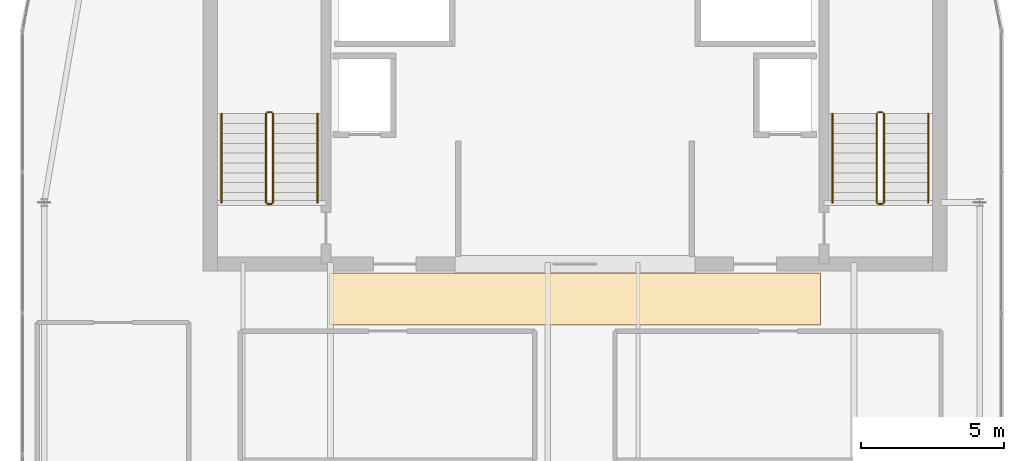
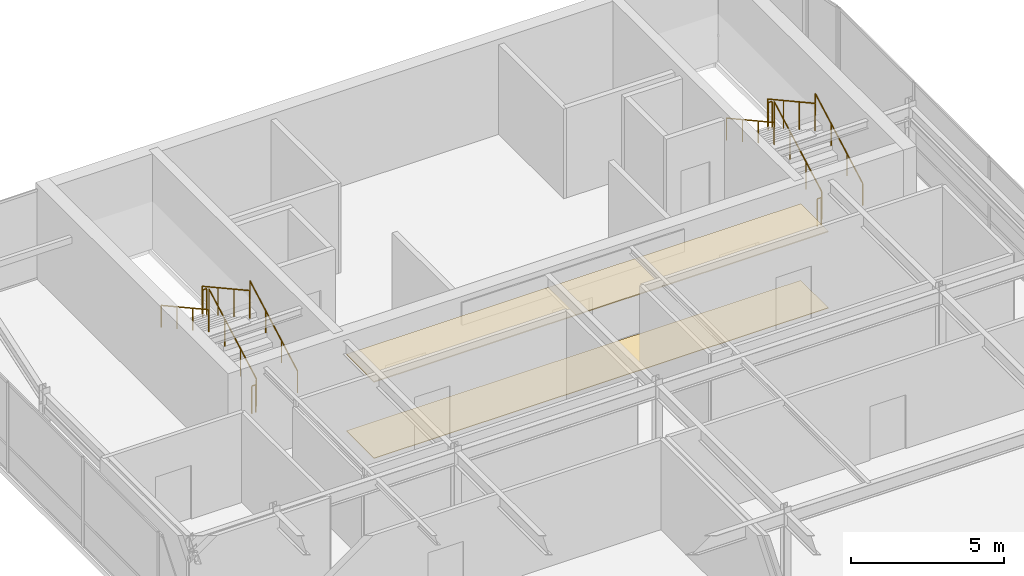
# One storey, part 36 of 36: 12 railings, 2 coverings.
"""IFC4 building model written with IfcOpenShell, lengths in metres."""

import ifcopenshell
import ifcopenshell.guid

model = None  # the IFC model being written
_history = None  # IfcOwnerHistory: only IFC2X3 demands one
_inside = {}  # id of a spatial element -> (the spatial element, [elements in it])
_under = {}  # id of a project, library or spatial element -> (it, [spatial elements below it])
_declared = {}  # id of a project -> (the project, [libraries it declares])
_typed = {}  # id of a type object -> (the type object, [elements of that type])
_made_of = {}  # id of a material, layer set ... -> (it, [elements and type objects made of it])


def new_model(schema):
    """Start an empty IFC model of exactly this schema.

    Asked for "IFC4X3", IfcOpenShell would pick the latest addendum, in which some entities
    have other attributes; the version numbers below select the first issue.
    IFC2X3 requires an IfcOwnerHistory on every rooted entity: one is made here for all.
    """
    global model, _history
    if schema == "IFC4X3":
        model = ifcopenshell.file(schema_version=(4, 3, 0, 0))
    else:
        model = ifcopenshell.file(schema=schema)
    _inside.clear()
    _under.clear()
    _declared.clear()
    _typed.clear()
    _made_of.clear()
    _history = None
    if model.schema == "IFC2X3":
        org = make("IfcOrganization", Name="unknown")
        user = make(
            "IfcPersonAndOrganization",
            ThePerson=make("IfcPerson", FamilyName="unknown"),
            TheOrganization=org,
        )
        app = make(
            "IfcApplication",
            ApplicationDeveloper=org,
            Version="unknown",
            ApplicationFullName="unknown",
            ApplicationIdentifier="unknown",
        )
        _history = make(
            "IfcOwnerHistory",
            OwningUser=user,
            OwningApplication=app,
            ChangeAction="ADDED",
            CreationDate=0,
        )
    return model


def make(cls, **values):
    """One entity of the class cls with the attributes given. An attribute that is None is left unset."""
    return model.create_entity(
        cls, **{name: value for name, value in values.items() if value is not None}
    )


def rooted(cls, **values):
    """An entity with a GlobalId (a new one), such as an element, a storey or a relation."""
    return make(cls, GlobalId=ifcopenshell.guid.new(), OwnerHistory=_history, **values)


def si_unit(unit_type, name, prefix=None):
    """IfcSIUnit, for example si_unit("LENGTHUNIT", "METRE", prefix="MILLI")."""
    return make("IfcSIUnit", UnitType=unit_type, Prefix=prefix, Name=name)


def assignment(units):
    """IfcUnitAssignment: the units of a project."""
    return None if units is None else make("IfcUnitAssignment", Units=units)


def point(xyz):
    """IfcCartesianPoint."""
    return None if xyz is None else make("IfcCartesianPoint", Coordinates=xyz)


def direction(xyz):
    """IfcDirection."""
    return None if xyz is None else make("IfcDirection", DirectionRatios=xyz)


def frame(location, z_axis=None, x_axis=None):
    """IfcAxis2Placement3D, a coordinate frame: its origin and axes. An axis left out is left unset."""
    return make(
        "IfcAxis2Placement3D",
        Location=point(location),
        Axis=direction(z_axis),
        RefDirection=direction(x_axis),
    )


def frame_2d(location, x_axis=None):
    """IfcAxis2Placement2D, a coordinate frame in the plane: its origin and x axis."""
    return make(
        "IfcAxis2Placement2D", Location=point(location), RefDirection=direction(x_axis)
    )


def origin():
    """The frame at (0, 0, 0) with its axes left unset."""
    return frame((0.0, 0.0, 0.0))


def origin_2d():
    """The frame at (0, 0) in the plane with its x axis left unset."""
    return frame_2d((0.0, 0.0))


def place(relative_to, where):
    """IfcLocalPlacement: puts the frame where relative to a parent placement (None: the world)."""
    return make(
        "IfcLocalPlacement", PlacementRelTo=relative_to, RelativePlacement=where
    )


def context(
    kind, dimensions, precision=None, world=None, true_north=None, identifier=None
):
    """IfcGeometricRepresentationContext, for example the 3D "Model" context."""
    return make(
        "IfcGeometricRepresentationContext",
        ContextIdentifier=identifier,
        ContextType=kind,
        CoordinateSpaceDimension=dimensions,
        Precision=precision,
        WorldCoordinateSystem=world,
        TrueNorth=true_north,
    )


def subcontext(parent, identifier, kind, view, scale=None):
    """IfcGeometricRepresentationSubContext, for example "Body" below "Model"."""
    return make(
        "IfcGeometricRepresentationSubContext",
        ContextIdentifier=identifier,
        ContextType=kind,
        ParentContext=parent,
        TargetScale=scale,
        TargetView=view,
    )


def project(units=None, contexts=None):
    """IfcProject with its units and contexts."""
    return rooted(
        "IfcProject",
        Name="project",
        RepresentationContexts=contexts,
        UnitsInContext=assignment(units),
    )


def spatial(cls, under=None, at=None, **own):
    """A site, building, storey or space (cls), placed at a placement, below another one or the project."""
    s = rooted(cls, ObjectPlacement=at, **own)
    if under is not None:
        _under.setdefault(under.id(), (under, []))[1].append(s)
    return s


def polyline(points):
    """IfcPolyline through the points."""
    return make("IfcPolyline", Points=[point(p) for p in points])


def profile(cls, at=None, kind="AREA", **sizes):
    """A parametric profile (cls). Its sizes go by their IFC names, for example OverallWidth=200.0."""
    return make(cls, ProfileType=kind, Position=at, **sizes)


def circle(**sizes):
    """IfcCircleProfileDef."""
    return profile("IfcCircleProfileDef", **sizes)


def outline(outer, holes=None, kind="AREA"):
    """IfcArbitraryClosedProfileDef: a profile drawn as a closed curve; with holes, ...WithVoids."""
    if holes is None:
        return make("IfcArbitraryClosedProfileDef", ProfileType=kind, OuterCurve=outer)
    return make(
        "IfcArbitraryProfileDefWithVoids",
        ProfileType=kind,
        OuterCurve=outer,
        InnerCurves=holes,
    )


def extrude(swept, where, along, depth):
    """IfcExtrudedAreaSolid: the profile swept, set in the frame where, extruded along a direction by depth."""
    return make(
        "IfcExtrudedAreaSolid",
        SweptArea=swept,
        Position=where,
        ExtrudedDirection=direction(along),
        Depth=depth,
    )


def shape(context_of_items, identifier, shape_type, items):
    """IfcShapeRepresentation: the items that make up one representation, for example the "Body"."""
    return make(
        "IfcShapeRepresentation",
        ContextOfItems=context_of_items,
        RepresentationIdentifier=identifier,
        RepresentationType=shape_type,
        Items=items,
    )


def material(Name=None, Category=None):
    """IfcMaterial."""
    return make("IfcMaterial", Name=Name, Category=Category)


def layer(
    of_material, thickness, ventilated=None, Name=None, Category=None, Priority=None
):
    """IfcMaterialLayer: one layer of a wall or slab, of a material (None: an air gap)."""
    return make(
        "IfcMaterialLayer",
        Material=of_material,
        LayerThickness=thickness,
        IsVentilated=ventilated,
        Name=Name,
        Category=Category,
        Priority=Priority,
    )


def layer_set(layers, Name=None):
    """IfcMaterialLayerSet."""
    return make("IfcMaterialLayerSet", MaterialLayers=layers, LayerSetName=Name)


def made_of(thing, what):
    """Note that an element or type object is made of a material, layer set ...; save() writes the relation."""
    if what is not None:
        _made_of.setdefault(what.id(), (what, []))[1].append(thing)
    return thing


def type_object(cls, material=None, **own):
    """A type object (cls), such as IfcWallType, which elements share."""
    return made_of(rooted(cls, **own), material)


def element(
    cls,
    number,
    at=None,
    inside=None,
    cuts=None,
    type_object=None,
    material=None,
    context=None,
    identifier="Body",
    shape_type=None,
    held_by="IfcProductDefinitionShape",
    body=None,
    shapes=None,
    **own,
):
    """One element of the class cls, such as IfcWall. Its Tag is "e" and its number.

    at: its placement. inside: the storey or other place that contains it. cuts: it is an
    opening in that element (IfcRelVoidsElement). A single representation is given by context,
    identifier, shape_type and body (its items); several are given by shapes. held_by: the class
    of the entity that holds the representations. save() writes the other relations.
    """
    e = rooted(cls, Tag="e%d" % number, ObjectPlacement=at, **own)
    if body is not None:
        shapes = [shape(context, identifier, shape_type, body)]
    if shapes is not None:
        e.Representation = make(held_by, Representations=shapes)
    if inside is not None:
        _inside.setdefault(inside.id(), (inside, []))[1].append(e)
    if cuts is not None:
        rooted(
            "IfcRelVoidsElement", RelatingBuildingElement=cuts, RelatedOpeningElement=e
        )
    if type_object is not None:
        _typed.setdefault(type_object.id(), (type_object, []))[1].append(e)
    return made_of(e, material)


def aggregate(whole, parts):
    """IfcRelAggregates: a whole, such as a stair, and the parts it consists of."""
    return rooted("IfcRelAggregates", RelatingObject=whole, RelatedObjects=parts)


def save(model, path):
    """Write the relations noted so far, then the file.

    IfcRelAggregates (storeys below a building ...), IfcRelContainedInSpatialStructure (elements
    in a storey), IfcRelDefinesByType, IfcRelAssociatesMaterial and IfcRelDeclares: one each for
    every whole, place, type object, material and project.
    """
    for whole, parts in _under.values():
        aggregate(whole, parts)
    for where, things in _inside.values():
        rooted(
            "IfcRelContainedInSpatialStructure",
            RelatedElements=things,
            RelatingStructure=where,
        )
    for kind, things in _typed.values():
        rooted("IfcRelDefinesByType", RelatedObjects=things, RelatingType=kind)
    for what, things in _made_of.values():
        rooted("IfcRelAssociatesMaterial", RelatedObjects=things, RelatingMaterial=what)
    for by, libraries in _declared.values():
        rooted("IfcRelDeclares", RelatingContext=by, RelatedDefinitions=libraries)
    model.write(path)


model = new_model("IFC4")

# Units and contexts
model_context = context("Model", 3, precision=1e-05, world=origin(), true_north=direction((0.0, 1.0)))
body_context = subcontext(model_context, "Body", "Model", "MODEL_VIEW")
ifc_project = project(units=[si_unit("LENGTHUNIT", "METRE"), si_unit("AREAUNIT", "SQUARE_METRE"), si_unit("VOLUMEUNIT", "CUBIC_METRE"), si_unit("PLANEANGLEUNIT", "RADIAN"), si_unit("MASSUNIT", "GRAM", prefix="KILO")], contexts=[model_context])

# Site, building, storey
site_placement = place(None, origin())
site = spatial("IfcSite", under=ifc_project, at=site_placement, CompositionType="ELEMENT")
building_placement = place(site_placement, origin())
building = spatial("IfcBuilding", under=site, at=building_placement, Name="Tolvann Quenvar Hotel", CompositionType="ELEMENT")
storey_placement = place(building_placement, frame((0.0, 0.0, 298.550048828125)))
storey = spatial("IfcBuildingStorey", under=building, at=storey_placement, Name="L79", CompositionType="ELEMENT", Elevation=298.550048828125)

# Coverings
ifc_material_1 = material(Name="Micro-perforated acoustic mineral-fibre and timber-batten suspended ceiling", Category="wood")
ifc_layer_1 = layer(ifc_material_1, 0.0400390625)
ifc_layer_set_1 = layer_set([ifc_layer_1], Name="Micro-perforated acoustic mineral-fibre and timber-batten suspended ceiling")
covering_type_1 = type_object("IfcCoveringType", Name="COV_CEIL_ACOUSTIC_40", PredefinedType="CEILING", material=ifc_layer_set_1)
covering_1_placement = place(storey_placement, frame((0.0, 0.0, 3.0400390625)))
element("IfcCovering", 1, at=covering_1_placement, inside=storey, type_object=covering_type_1, Name="Suspended Acoustic Ceiling (Lantern Core Stair Vestibule L79)", PredefinedType="CEILING", context=body_context, shape_type="SweptSolid", body=[
    extrude(outline(polyline([(14.419921875, 29.719970703125), (31.580078125, 29.719970703125), (31.580078125, 31.530029296875), (14.419921875, 31.530029296875), (14.419921875, 29.719970703125)])), origin(), (0.0, 0.0, 1.0), 0.039794921875),
])
ifc_material_2 = material(Name="Honed Australian bluestone, terrazzo and engineered oak flooring", Category="masonry")
ifc_layer_2 = layer(ifc_material_2, 0.02001953125)
ifc_layer_set_2 = layer_set([ifc_layer_2], Name="Honed Australian bluestone, terrazzo and engineered oak flooring")
covering_type_2 = type_object("IfcCoveringType", Name="COV_FLOOR_STONE_20", PredefinedType="FLOORING", material=ifc_layer_set_2)
covering_2_placement = place(storey_placement, origin())
element("IfcCovering", 2, at=covering_2_placement, inside=storey, type_object=covering_type_2, Name="Architectural Floor Finish (Lantern Core Stair Vestibule L79)", PredefinedType="FLOORING", context=body_context, shape_type="SweptSolid", body=[
    extrude(outline(polyline([(14.419921875, 29.719970703125), (31.580078125, 29.719970703125), (31.580078125, 31.530029296875), (14.419921875, 31.530029296875), (14.419921875, 29.719970703125)])), origin(), (0.0, 0.0, 1.0), 0.02001953125),
])

# Railings
ifc_material_3 = material(Name="Brushed 316 stainless steel balustrade and handrail", Category="steel")
railing_type_1 = type_object("IfcRailingType", Name="GUARDRAIL", PredefinedType="GUARDRAIL", material=ifc_material_3)
railing_1_placement = place(storey_placement, frame((12.449951171875, 34.0, 0.18994140625)))
element("IfcRailing", 3, at=railing_1_placement, inside=storey, type_object=railing_type_1, Name="L79 ST-C1 stair guard 1", PredefinedType="GUARDRAIL", context=body_context, shape_type="SweptSolid", body=[
    extrude(circle(Radius=0.02392578125, at=origin_2d()), frame((0.0, 0.0, 1.09619140625), z_axis=(0.0, 0.875951117098, 0.482399876093), x_axis=(-1.0, 0.0, 0.0)), (0.0, 0.0, 1.0), 3.544677734375),
    extrude(circle(Radius=0.02099609375, at=origin_2d()), origin(), (0.0, 0.0, 1.0), 1.072021484375),
    extrude(circle(Radius=0.02099609375, at=origin_2d()), frame((0.0, 1.034912109375, 0.570068359375)), (0.0, 0.0, 1.0), 1.072021484375),
    extrude(circle(Radius=0.02099609375, at=origin_2d()), frame((0.0, 2.070068359375, 1.139892578125)), (0.0, 0.0, 1.0), 1.072021484375),
    extrude(circle(Radius=0.02099609375, at=origin_2d()), frame((0.0, 3.10498046875, 1.7099609375)), (0.0, 0.0, 1.0), 1.072021484375),
])
railing_2_placement = place(storey_placement, frame((12.39990234375, 37.155029296875, 1.89990234375)))
element("IfcRailing", 4, at=railing_2_placement, inside=storey, type_object=railing_type_1, Name="L79 ST-C1 stair guard 2", PredefinedType="GUARDRAIL", context=body_context, shape_type="SweptSolid", body=[
    extrude(circle(Radius=0.02392578125, at=origin_2d()), frame((0.0, 0.0, 1.09619140625), z_axis=(-1.0, 0.0, 0.0), x_axis=(0.0, -1.0, 0.0)), (0.0, 0.0, 1.0), 0.14990234375),
    extrude(circle(Radius=0.02099609375, at=origin_2d()), origin(), (0.0, 0.0, 1.0), 1.072021484375),
    extrude(circle(Radius=0.02099609375, at=origin_2d()), frame((-0.14990234375, 0.0, 0.0)), (0.0, 0.0, 1.0), 1.072021484375),
])
railing_3_placement = place(storey_placement, frame((12.199951171875, 37.10498046875, 2.08984375)))
element("IfcRailing", 5, at=railing_3_placement, inside=storey, type_object=railing_type_1, Name="L79 ST-C1 stair guard 3", PredefinedType="GUARDRAIL", context=body_context, shape_type="SweptSolid", body=[
    extrude(circle(Radius=0.02392578125, at=origin_2d()), frame((0.0, 0.0, 1.09619140625), z_axis=(0.0, -0.875922012777, 0.482452720515), x_axis=(1.0, 0.0, 0.0)), (0.0, 0.0, 1.0), 3.544921875),
    extrude(circle(Radius=0.02099609375, at=origin_2d()), origin(), (0.0, 0.0, 1.0), 1.072021484375),
    extrude(circle(Radius=0.02099609375, at=origin_2d()), frame((0.0, -1.034912109375, 0.570068359375)), (0.0, 0.0, 1.0), 1.072021484375),
    extrude(circle(Radius=0.02099609375, at=origin_2d()), frame((0.0, -2.070068359375, 1.14013671875)), (0.0, 0.0, 1.0), 1.072021484375),
    extrude(circle(Radius=0.02099609375, at=origin_2d()), frame((0.0, -3.10498046875, 1.710205078125)), (0.0, 0.0, 1.0), 1.072021484375),
])
railing_4_placement = place(storey_placement, frame((12.39990234375, 33.949951171875, 0.0)))
element("IfcRailing", 6, at=railing_4_placement, inside=storey, type_object=railing_type_1, Name="L79 ST-C1 stair guard 4", PredefinedType="GUARDRAIL", context=body_context, shape_type="SweptSolid", body=[
    extrude(circle(Radius=0.02392578125, at=origin_2d()), frame((0.0, 0.0, 1.09619140625), z_axis=(-1.0, 0.0, 0.0), x_axis=(0.0, -1.0, 0.0)), (0.0, 0.0, 1.0), 0.14990234375),
    extrude(circle(Radius=0.02099609375, at=origin_2d()), origin(), (0.0, 0.0, 1.0), 1.072021484375),
    extrude(circle(Radius=0.02099609375, at=origin_2d()), frame((-0.14990234375, 0.0, 0.0)), (0.0, 0.0, 1.0), 1.072021484375),
])
railing_5_placement = place(storey_placement, frame((33.800048828125, 34.0, 0.18994140625)))
element("IfcRailing", 7, at=railing_5_placement, inside=storey, type_object=railing_type_1, Name="L79 ST-C2 stair guard 1", PredefinedType="GUARDRAIL", context=body_context, shape_type="SweptSolid", body=[
    extrude(circle(Radius=0.02392578125, at=origin_2d()), frame((0.0, 0.0, 1.09619140625), z_axis=(0.0, 0.875951117098, 0.482399876093), x_axis=(-1.0, 0.0, 0.0)), (0.0, 0.0, 1.0), 3.544677734375),
    extrude(circle(Radius=0.02099609375, at=origin_2d()), origin(), (0.0, 0.0, 1.0), 1.072021484375),
    extrude(circle(Radius=0.02099609375, at=origin_2d()), frame((0.0, 1.034912109375, 0.570068359375)), (0.0, 0.0, 1.0), 1.072021484375),
    extrude(circle(Radius=0.02099609375, at=origin_2d()), frame((0.0, 2.070068359375, 1.139892578125)), (0.0, 0.0, 1.0), 1.072021484375),
    extrude(circle(Radius=0.02099609375, at=origin_2d()), frame((0.0, 3.10498046875, 1.7099609375)), (0.0, 0.0, 1.0), 1.072021484375),
])
railing_6_placement = place(storey_placement, frame((33.75, 37.155029296875, 1.89990234375)))
element("IfcRailing", 8, at=railing_6_placement, inside=storey, type_object=railing_type_1, Name="L79 ST-C2 stair guard 2", PredefinedType="GUARDRAIL", context=body_context, shape_type="SweptSolid", body=[
    extrude(circle(Radius=0.02392578125, at=origin_2d()), frame((0.0, 0.0, 1.09619140625), z_axis=(-1.0, 0.0, 0.0), x_axis=(0.0, -1.0, 0.0)), (0.0, 0.0, 1.0), 0.14990234375),
    extrude(circle(Radius=0.02099609375, at=origin_2d()), origin(), (0.0, 0.0, 1.0), 1.072021484375),
    extrude(circle(Radius=0.02099609375, at=origin_2d()), frame((-0.14990234375, 0.0, 0.0)), (0.0, 0.0, 1.0), 1.072021484375),
])
railing_7_placement = place(storey_placement, frame((33.550048828125, 37.10498046875, 2.08984375)))
element("IfcRailing", 9, at=railing_7_placement, inside=storey, type_object=railing_type_1, Name="L79 ST-C2 stair guard 3", PredefinedType="GUARDRAIL", context=body_context, shape_type="SweptSolid", body=[
    extrude(circle(Radius=0.02392578125, at=origin_2d()), frame((0.0, 0.0, 1.09619140625), z_axis=(0.0, -0.875922012777, 0.482452720515), x_axis=(1.0, 0.0, 0.0)), (0.0, 0.0, 1.0), 3.544921875),
    extrude(circle(Radius=0.02099609375, at=origin_2d()), origin(), (0.0, 0.0, 1.0), 1.072021484375),
    extrude(circle(Radius=0.02099609375, at=origin_2d()), frame((0.0, -1.034912109375, 0.570068359375)), (0.0, 0.0, 1.0), 1.072021484375),
    extrude(circle(Radius=0.02099609375, at=origin_2d()), frame((0.0, -2.070068359375, 1.14013671875)), (0.0, 0.0, 1.0), 1.072021484375),
    extrude(circle(Radius=0.02099609375, at=origin_2d()), frame((0.0, -3.10498046875, 1.710205078125)), (0.0, 0.0, 1.0), 1.072021484375),
])
railing_8_placement = place(storey_placement, frame((33.75, 33.949951171875, 0.0)))
element("IfcRailing", 10, at=railing_8_placement, inside=storey, type_object=railing_type_1, Name="L79 ST-C2 stair guard 4", PredefinedType="GUARDRAIL", context=body_context, shape_type="SweptSolid", body=[
    extrude(circle(Radius=0.02392578125, at=origin_2d()), frame((0.0, 0.0, 1.09619140625), z_axis=(-1.0, 0.0, 0.0), x_axis=(0.0, -1.0, 0.0)), (0.0, 0.0, 1.0), 0.14990234375),
    extrude(circle(Radius=0.02099609375, at=origin_2d()), origin(), (0.0, 0.0, 1.0), 1.072021484375),
    extrude(circle(Radius=0.02099609375, at=origin_2d()), frame((-0.14990234375, 0.0, 0.0)), (0.0, 0.0, 1.0), 1.072021484375),
])
railing_type_2 = type_object("IfcRailingType", Name="HANDRAIL", PredefinedType="HANDRAIL", material=ifc_material_3)
railing_9_placement = place(storey_placement, frame((14.0, 34.0, 0.18994140625)))
element("IfcRailing", 11, at=railing_9_placement, inside=storey, type_object=railing_type_2, Name="L79 ST-C1 stair handrail 1", PredefinedType="HANDRAIL", context=body_context, shape_type="SweptSolid", body=[
    extrude(circle(Radius=0.02392578125, at=origin_2d()), frame((0.0, 0.0, 0.8759765625), z_axis=(0.0, 0.875951117098, 0.482399876093), x_axis=(-1.0, 0.0, 0.0)), (0.0, 0.0, 1.0), 3.544677734375),
    extrude(circle(Radius=0.02099609375, at=origin_2d()), origin(), (0.0, 0.0, 1.0), 0.851806640625),
    extrude(circle(Radius=0.02099609375, at=origin_2d()), frame((0.0, 1.034912109375, 0.570068359375)), (0.0, 0.0, 1.0), 0.851806640625),
    extrude(circle(Radius=0.02099609375, at=origin_2d()), frame((0.0, 2.070068359375, 1.139892578125)), (0.0, 0.0, 1.0), 0.851806640625),
    extrude(circle(Radius=0.02099609375, at=origin_2d()), frame((0.0, 3.10498046875, 1.7099609375)), (0.0, 0.0, 1.0), 0.851806640625),
])
railing_10_placement = place(storey_placement, frame((10.64990234375, 37.10498046875, 2.08984375)))
element("IfcRailing", 12, at=railing_10_placement, inside=storey, type_object=railing_type_2, Name="L79 ST-C1 stair handrail 2", PredefinedType="HANDRAIL", context=body_context, shape_type="SweptSolid", body=[
    extrude(circle(Radius=0.02392578125, at=origin_2d()), frame((0.0, 0.0, 0.8759765625), z_axis=(0.0, -0.875922012777, 0.482452720515), x_axis=(1.0, 0.0, 0.0)), (0.0, 0.0, 1.0), 3.544921875),
    extrude(circle(Radius=0.02099609375, at=origin_2d()), origin(), (0.0, 0.0, 1.0), 0.851806640625),
    extrude(circle(Radius=0.02099609375, at=origin_2d()), frame((0.0, -1.034912109375, 0.570068359375)), (0.0, 0.0, 1.0), 0.851806640625),
    extrude(circle(Radius=0.02099609375, at=origin_2d()), frame((0.0, -2.070068359375, 1.14013671875)), (0.0, 0.0, 1.0), 0.851806640625),
    extrude(circle(Radius=0.02099609375, at=origin_2d()), frame((0.0, -3.10498046875, 1.710205078125)), (0.0, 0.0, 1.0), 0.851806640625),
])
railing_11_placement = place(storey_placement, frame((35.35009765625, 34.0, 0.18994140625)))
element("IfcRailing", 13, at=railing_11_placement, inside=storey, type_object=railing_type_2, Name="L79 ST-C2 stair handrail 1", PredefinedType="HANDRAIL", context=body_context, shape_type="SweptSolid", body=[
    extrude(circle(Radius=0.02392578125, at=origin_2d()), frame((0.0, 0.0, 0.8759765625), z_axis=(0.0, 0.875951117098, 0.482399876093), x_axis=(-1.0, 0.0, 0.0)), (0.0, 0.0, 1.0), 3.544677734375),
    extrude(circle(Radius=0.02099609375, at=origin_2d()), origin(), (0.0, 0.0, 1.0), 0.851806640625),
    extrude(circle(Radius=0.02099609375, at=origin_2d()), frame((0.0, 1.034912109375, 0.570068359375)), (0.0, 0.0, 1.0), 0.851806640625),
    extrude(circle(Radius=0.02099609375, at=origin_2d()), frame((0.0, 2.070068359375, 1.139892578125)), (0.0, 0.0, 1.0), 0.851806640625),
    extrude(circle(Radius=0.02099609375, at=origin_2d()), frame((0.0, 3.10498046875, 1.7099609375)), (0.0, 0.0, 1.0), 0.851806640625),
])
railing_12_placement = place(storey_placement, frame((32.0, 37.10498046875, 2.08984375)))
element("IfcRailing", 14, at=railing_12_placement, inside=storey, type_object=railing_type_2, Name="L79 ST-C2 stair handrail 2", PredefinedType="HANDRAIL", context=body_context, shape_type="SweptSolid", body=[
    extrude(circle(Radius=0.02392578125, at=origin_2d()), frame((0.0, 0.0, 0.8759765625), z_axis=(0.0, -0.875922012777, 0.482452720515), x_axis=(1.0, 0.0, 0.0)), (0.0, 0.0, 1.0), 3.544921875),
    extrude(circle(Radius=0.02099609375, at=origin_2d()), origin(), (0.0, 0.0, 1.0), 0.851806640625),
    extrude(circle(Radius=0.02099609375, at=origin_2d()), frame((0.0, -1.034912109375, 0.570068359375)), (0.0, 0.0, 1.0), 0.851806640625),
    extrude(circle(Radius=0.02099609375, at=origin_2d()), frame((0.0, -2.070068359375, 1.14013671875)), (0.0, 0.0, 1.0), 0.851806640625),
    extrude(circle(Radius=0.02099609375, at=origin_2d()), frame((0.0, -3.10498046875, 1.710205078125)), (0.0, 0.0, 1.0), 0.851806640625),
])

save(model, "model.ifc")
